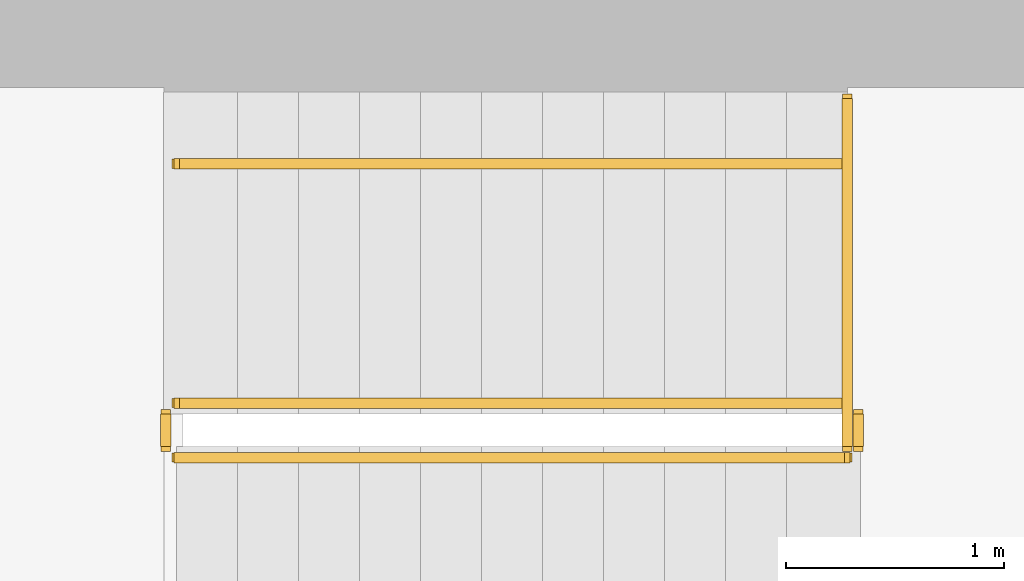
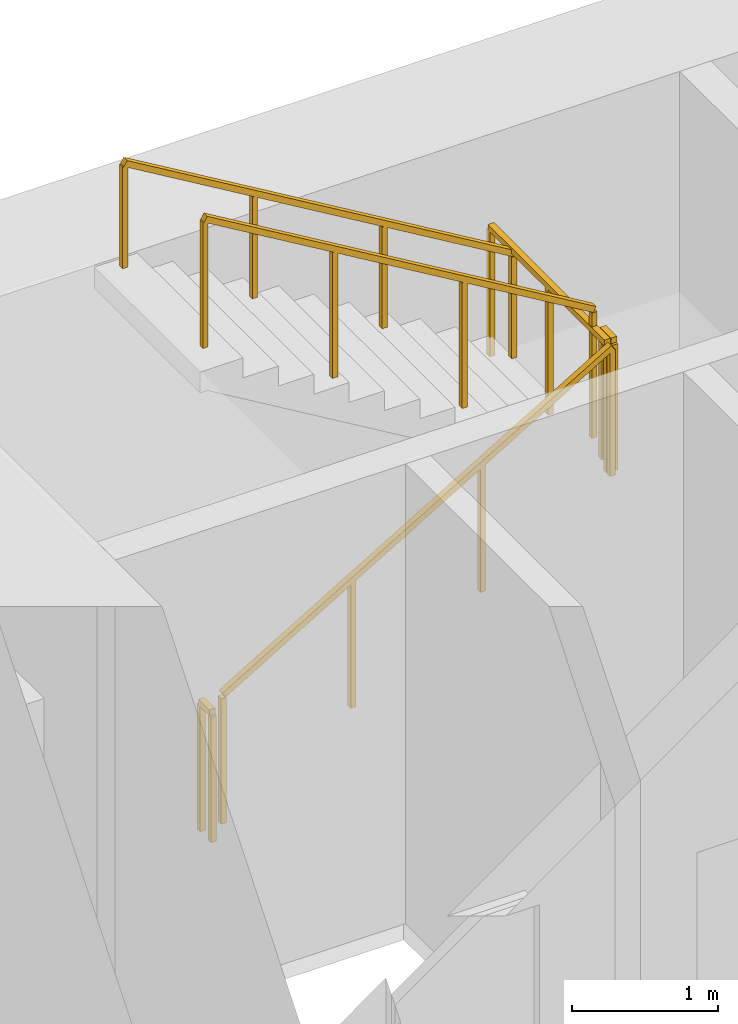
# One storey, part 15 of 16: 6 railings.
"""IFC4 building model written with IfcOpenShell, lengths in metres."""

from ifc_helpers import new_model, si_unit, direction, frame, origin, origin_2d, place, context, subcontext, project, spatial, rectangle, extrude, material, type_object, element, save


model = new_model("IFC4")

# Units and contexts
model_context = context("Model", 3, precision=1e-05, world=origin(), true_north=direction((0.0, 1.0)))
body_context = subcontext(model_context, "Body", "Model", "MODEL_VIEW")
ifc_project = project(units=[si_unit("LENGTHUNIT", "METRE"), si_unit("AREAUNIT", "SQUARE_METRE"), si_unit("VOLUMEUNIT", "CUBIC_METRE"), si_unit("PLANEANGLEUNIT", "RADIAN"), si_unit("MASSUNIT", "GRAM", prefix="KILO")], contexts=[model_context])

# Site, building, storey
site_placement = place(None, origin())
site = spatial("IfcSite", under=ifc_project, at=site_placement, CompositionType="ELEMENT")
building_placement = place(site_placement, origin())
building = spatial("IfcBuilding", under=site, at=building_placement, Name="Sennacour Bend Tower", CompositionType="ELEMENT")
storey_placement = place(building_placement, frame((0.0, 0.0, 211.0)))
storey = spatial("IfcBuildingStorey", under=building, at=storey_placement, Name="L48", CompositionType="ELEMENT", Elevation=211.0)

# Railings
ifc_material = material(Name="Stainless steel", Category="steel")
railing_type_1 = type_object("IfcRailingType", Name="RL-GUARD-1100", PredefinedType="GUARDRAIL", material=ifc_material)
railing_1_placement = place(storey_placement, frame((56.699951171875, 19.85009765625, 0.166748046875)))
element("IfcRailing", 1, at=railing_1_placement, inside=storey, type_object=railing_type_1, Name="L48 SA2 stair guard 1", PredefinedType="GUARDRAIL", context=body_context, shape_type="SweptSolid", body=[
    extrude(rectangle(XDim=0.048095703125, YDim=0.048095703125, at=origin_2d()), frame((0.0, 0.0, 1.076171875), z_axis=(0.859308565015, 0.0, 0.511457515432), x_axis=(0.0, 1.0, 0.0)), (0.0, 0.0, 1.0), 3.58447265625),
    extrude(rectangle(XDim=0.0419921875, YDim=0.0419921875, at=origin_2d()), origin(), (0.0, 0.0, 1.0), 1.052001953125),
    extrude(rectangle(XDim=0.0419921875, YDim=0.0419921875, at=origin_2d()), frame((1.026611328125, 0.0, 0.611083984375)), (0.0, 0.0, 1.0), 1.052001953125),
    extrude(rectangle(XDim=0.0419921875, YDim=0.0419921875, at=origin_2d()), frame((2.053466796875, 0.0, 1.22216796875)), (0.0, 0.0, 1.0), 1.052001953125),
    extrude(rectangle(XDim=0.0419921875, YDim=0.0419921875, at=origin_2d()), frame((3.080078125, 0.0, 1.833251953125)), (0.0, 0.0, 1.0), 1.052001953125),
])
railing_2_placement = place(storey_placement, frame((59.830078125, 19.89990234375, 2.0)))
element("IfcRailing", 2, at=railing_2_placement, inside=storey, type_object=railing_type_1, Name="L48 SA2 stair guard 2", PredefinedType="GUARDRAIL", context=body_context, shape_type="SweptSolid", body=[
    extrude(rectangle(XDim=0.048095703125, YDim=0.048095703125, at=origin_2d()), frame((0.0, 0.0, 1.076171875), z_axis=(0.0, 1.0, 0.0), x_axis=(-1.0, 0.0, 0.0)), (0.0, 0.0, 1.0), 0.150146484375),
    extrude(rectangle(XDim=0.0419921875, YDim=0.0419921875, at=origin_2d()), origin(), (0.0, 0.0, 1.0), 1.052001953125),
    extrude(rectangle(XDim=0.0419921875, YDim=0.0419921875, at=origin_2d()), frame((0.0, 0.150146484375, 0.0)), (0.0, 0.0, 1.0), 1.052001953125),
])
railing_3_placement = place(storey_placement, frame((59.780029296875, 20.10009765625, 2.166748046875)))
element("IfcRailing", 3, at=railing_3_placement, inside=storey, type_object=railing_type_1, Name="L48 SA2 stair guard 4", PredefinedType="GUARDRAIL", context=body_context, shape_type="SweptSolid", body=[
    extrude(rectangle(XDim=0.048095703125, YDim=0.048095703125, at=origin_2d()), frame((0.0, 0.0, 1.076171875), z_axis=(-0.859308565015, 0.0, 0.511457515432), x_axis=(0.0, -1.0, 0.0)), (0.0, 0.0, 1.0), 3.58447265625),
    extrude(rectangle(XDim=0.0419921875, YDim=0.0419921875, at=origin_2d()), origin(), (0.0, 0.0, 1.0), 1.052001953125),
    extrude(rectangle(XDim=0.0419921875, YDim=0.0419921875, at=origin_2d()), frame((-1.026611328125, 0.0, 0.611083984375)), (0.0, 0.0, 1.0), 1.052001953125),
    extrude(rectangle(XDim=0.0419921875, YDim=0.0419921875, at=origin_2d()), frame((-2.053466796875, 0.0, 1.22216796875)), (0.0, 0.0, 1.0), 1.052001953125),
    extrude(rectangle(XDim=0.0419921875, YDim=0.0419921875, at=origin_2d()), frame((-3.080078125, 0.0, 1.833251953125)), (0.0, 0.0, 1.0), 1.052001953125),
])
railing_4_placement = place(storey_placement, frame((56.64990234375, 19.89990234375, 0.0)))
element("IfcRailing", 4, at=railing_4_placement, inside=storey, type_object=railing_type_1, Name="L48 SA2 stair guard 5", PredefinedType="GUARDRAIL", context=body_context, shape_type="SweptSolid", body=[
    extrude(rectangle(XDim=0.048095703125, YDim=0.048095703125, at=origin_2d()), frame((0.0, 0.0, 1.076171875), z_axis=(0.0, 1.0, 0.0), x_axis=(-1.0, 0.0, 0.0)), (0.0, 0.0, 1.0), 0.150146484375),
    extrude(rectangle(XDim=0.0419921875, YDim=0.0419921875, at=origin_2d()), origin(), (0.0, 0.0, 1.0), 1.052001953125),
    extrude(rectangle(XDim=0.0419921875, YDim=0.0419921875, at=origin_2d()), frame((0.0, 0.150146484375, 0.0)), (0.0, 0.0, 1.0), 1.052001953125),
])
railing_5_placement = place(storey_placement, frame((59.780029296875, 19.89990234375, 2.0)))
element("IfcRailing", 5, at=railing_5_placement, inside=storey, type_object=railing_type_1, Name="L48 SA2 landing edge guard 65", PredefinedType="GUARDRAIL", context=body_context, shape_type="SweptSolid", body=[
    extrude(rectangle(XDim=0.048095703125, YDim=0.048095703125, at=origin_2d()), frame((0.0, 0.0, 1.076171875), z_axis=(0.0, 1.0, 0.0), x_axis=(-1.0, 0.0, 0.0)), (0.0, 0.0, 1.0), 1.60009765625),
    extrude(rectangle(XDim=0.0419921875, YDim=0.0419921875, at=origin_2d()), origin(), (0.0, 0.0, 1.0), 1.052001953125),
    extrude(rectangle(XDim=0.0419921875, YDim=0.0419921875, at=origin_2d()), frame((0.0, 0.800048828125, 0.0)), (0.0, 0.0, 1.0), 1.052001953125),
    extrude(rectangle(XDim=0.0419921875, YDim=0.0419921875, at=origin_2d()), frame((0.0, 1.60009765625, 0.0)), (0.0, 0.0, 1.0), 1.052001953125),
])
railing_type_2 = type_object("IfcRailingType", Name="RL-HANDRAIL-900", PredefinedType="HANDRAIL", material=ifc_material)
railing_6_placement = place(storey_placement, frame((59.780029296875, 21.199951171875, 2.166748046875)))
element("IfcRailing", 6, at=railing_6_placement, inside=storey, type_object=railing_type_2, Name="L48 SA2 stair handrail 2", PredefinedType="HANDRAIL", context=body_context, shape_type="SweptSolid", body=[
    extrude(rectangle(XDim=0.048095703125, YDim=0.048095703125, at=origin_2d()), frame((0.0, 0.0, 0.8759765625), z_axis=(-0.859308565015, 0.0, 0.511457515432), x_axis=(0.0, -1.0, 0.0)), (0.0, 0.0, 1.0), 3.58447265625),
    extrude(rectangle(XDim=0.0419921875, YDim=0.0419921875, at=origin_2d()), origin(), (0.0, 0.0, 1.0), 0.851806640625),
    extrude(rectangle(XDim=0.0419921875, YDim=0.0419921875, at=origin_2d()), frame((-1.026611328125, 0.0, 0.611083984375)), (0.0, 0.0, 1.0), 0.851806640625),
    extrude(rectangle(XDim=0.0419921875, YDim=0.0419921875, at=origin_2d()), frame((-2.053466796875, 0.0, 1.22216796875)), (0.0, 0.0, 1.0), 0.851806640625),
    extrude(rectangle(XDim=0.0419921875, YDim=0.0419921875, at=origin_2d()), frame((-3.080078125, 0.0, 1.833251953125)), (0.0, 0.0, 1.0), 0.851806640625),
])

save(model, "model.ifc")
